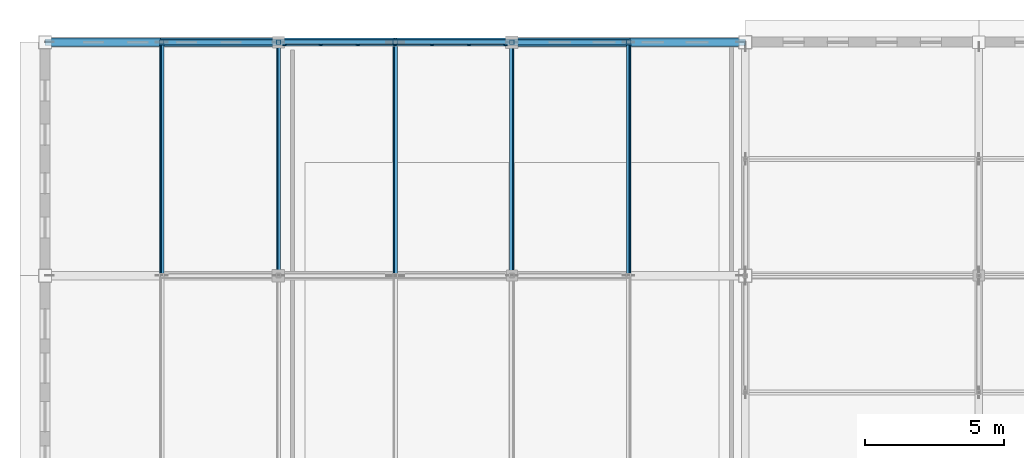
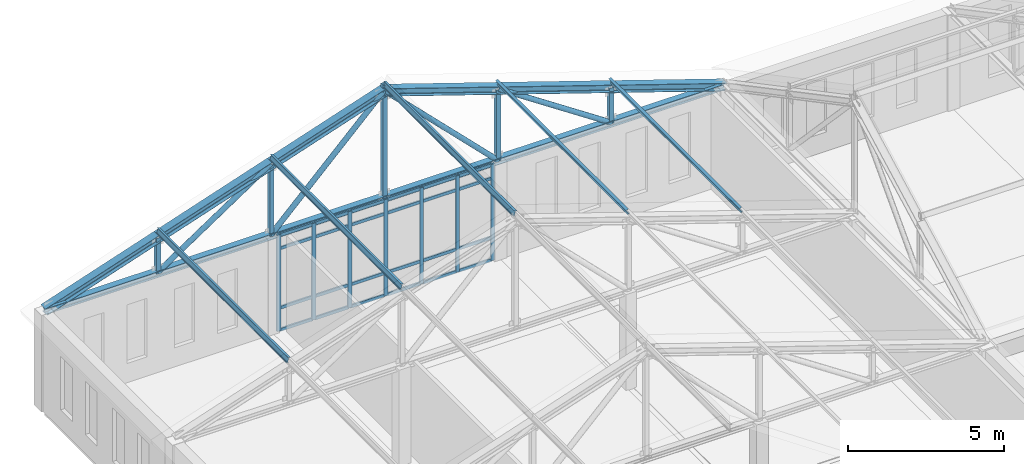
# One storey, part 24 of 56: 52 members, 1 element without a shape of its own.
"""IFC4 building model written with IfcOpenShell, lengths in metres."""

from ifc_helpers import new_model, si_unit, direction, frame, origin, origin_2d, place, context, subcontext, project, spatial, rectangle, hollow_rectangle, hollow_circle, i_section, extrude, material, layer, layer_set, material_profile, profile_set, type_object, element, aggregate, save


model = new_model("IFC4")

# Units and contexts
model_context = context("Model", 3, precision=1e-05, world=origin(), true_north=direction((0.0, 1.0)))
body_context = subcontext(model_context, "Body", "Model", "MODEL_VIEW")
ifc_project = project(units=[si_unit("LENGTHUNIT", "METRE"), si_unit("AREAUNIT", "SQUARE_METRE"), si_unit("VOLUMEUNIT", "CUBIC_METRE"), si_unit("PLANEANGLEUNIT", "RADIAN"), si_unit("MASSUNIT", "GRAM", prefix="KILO")], contexts=[model_context])

# Site, building, storey
site_placement = place(None, origin())
site = spatial("IfcSite", under=ifc_project, at=site_placement, CompositionType="ELEMENT")
building_placement = place(site_placement, origin())
building = spatial("IfcBuilding", under=site, at=building_placement, Name="Kveldsbrygga Polytechnic", CompositionType="ELEMENT")
storey_placement = place(building_placement, frame((0.0, 0.0, 18.02001953125)))
storey = spatial("IfcBuildingStorey", under=building, at=storey_placement, Name="L04", CompositionType="ELEMENT", Elevation=18.02001953125)

# Curtain wall, members
ifc_material_1 = material(Name="Anodised aluminium AW-6060", Category="aluminium")
ifc_layer = layer(ifc_material_1, 0.179931640625)
ifc_layer_set = layer_set([ifc_layer], Name="Anodised aluminium AW-6060")
curtain_wall_type = type_object("IfcCurtainWallType", Name="CW-CONC-A", PredefinedType="USERDEFINED", material=ifc_layer_set)
curtain_wall_placement = place(storey_placement, origin())
curtain_wall = element("IfcCurtainWall", 1, at=curtain_wall_placement, inside=storey, type_object=curtain_wall_type, Name="Curtain Wall CW-L04-X-13-14", ObjectType="UNITISED CURTAIN WALL", PredefinedType="USERDEFINED")
ifc_material_profile_1 = material_profile(ifc_material_1, rectangle(XDim=0.06005859375, YDim=0.139892578125, at=origin_2d()), Name="ALU 60x140")
ifc_profile_set_1 = profile_set([ifc_material_profile_1], Name="Anodised aluminium AW-6060")
member_type_1 = type_object("IfcMemberType", Name="CW-MUL-140", PredefinedType="MULLION", material=ifc_profile_set_1)
member_1_placement = place(storey_placement, frame((109.425048828125, 117.5, 0.0), z_axis=(0.0, 0.0, 1.0), x_axis=(0.0, 1.0, 0.0)))
member_1 = element("IfcMember", 2, at=member_1_placement, type_object=member_type_1, Name="CW-01 mullion 1", PredefinedType="MULLION", context=body_context, shape_type="SweptSolid", body=[
    extrude(rectangle(XDim=0.06005859375, YDim=0.139892578125, at=origin_2d()), origin(), (0.0, 0.0, 1.0), 3.780029296875),
])
member_2_placement = place(storey_placement, frame((110.7275390625, 117.5, 0.0), z_axis=(0.0, 0.0, 1.0), x_axis=(0.0, 1.0, 0.0)))
member_2 = element("IfcMember", 3, at=member_2_placement, type_object=member_type_1, Name="CW-01 mullion 2", PredefinedType="MULLION", context=body_context, shape_type="SweptSolid", body=[
    extrude(rectangle(XDim=0.06005859375, YDim=0.139892578125, at=origin_2d()), origin(), (0.0, 0.0, 1.0), 3.780029296875),
])
member_3_placement = place(storey_placement, frame((112.06005859375, 117.5, 0.0), z_axis=(0.0, 0.0, 1.0), x_axis=(0.0, 1.0, 0.0)))
member_3 = element("IfcMember", 4, at=member_3_placement, type_object=member_type_1, Name="CW-01 mullion 3", PredefinedType="MULLION", context=body_context, shape_type="SweptSolid", body=[
    extrude(rectangle(XDim=0.06005859375, YDim=0.139892578125, at=origin_2d()), origin(), (0.0, 0.0, 1.0), 3.780029296875),
])
member_4_placement = place(storey_placement, frame((113.392578125, 117.5, 0.0), z_axis=(0.0, 0.0, 1.0), x_axis=(0.0, 1.0, 0.0)))
member_4 = element("IfcMember", 5, at=member_4_placement, type_object=member_type_1, Name="CW-01 mullion 4", PredefinedType="MULLION", context=body_context, shape_type="SweptSolid", body=[
    extrude(rectangle(XDim=0.06005859375, YDim=0.139892578125, at=origin_2d()), origin(), (0.0, 0.0, 1.0), 3.780029296875),
])
member_5_placement = place(storey_placement, frame((114.72509765625, 117.5, 0.0), z_axis=(0.0, 0.0, 1.0), x_axis=(0.0, 1.0, 0.0)))
member_5 = element("IfcMember", 6, at=member_5_placement, type_object=member_type_1, Name="CW-01 mullion 5", PredefinedType="MULLION", context=body_context, shape_type="SweptSolid", body=[
    extrude(rectangle(XDim=0.06005859375, YDim=0.139892578125, at=origin_2d()), origin(), (0.0, 0.0, 1.0), 3.780029296875),
])
member_6_placement = place(storey_placement, frame((116.0576171875, 117.5, 0.0), z_axis=(0.0, 0.0, 1.0), x_axis=(0.0, 1.0, 0.0)))
member_6 = element("IfcMember", 7, at=member_6_placement, type_object=member_type_1, Name="CW-01 mullion 6", PredefinedType="MULLION", context=body_context, shape_type="SweptSolid", body=[
    extrude(rectangle(XDim=0.06005859375, YDim=0.139892578125, at=origin_2d()), origin(), (0.0, 0.0, 1.0), 3.780029296875),
])
member_7_placement = place(storey_placement, frame((117.360107421875, 117.5, 0.0), z_axis=(0.0, 0.0, 1.0), x_axis=(0.0, 1.0, 0.0)))
member_7 = element("IfcMember", 8, at=member_7_placement, type_object=member_type_1, Name="CW-01 mullion 7", PredefinedType="MULLION", context=body_context, shape_type="SweptSolid", body=[
    extrude(rectangle(XDim=0.06005859375, YDim=0.139892578125, at=origin_2d()), origin(), (0.0, 0.0, 1.0), 3.780029296875),
])
ifc_material_profile_2 = material_profile(ifc_material_1, rectangle(XDim=0.06005859375, YDim=0.1201171875, at=origin_2d()), Name="ALU 60x120")
ifc_profile_set_2 = profile_set([ifc_material_profile_2], Name="Anodised aluminium AW-6060")
member_type_2 = type_object("IfcMemberType", Name="CW-TRN-120", PredefinedType="USERDEFINED", material=ifc_profile_set_2)
member_8_placement = place(storey_placement, frame((109.455078125, 117.5, 0.030029296875), z_axis=(1.0, 0.0, 0.0), x_axis=(0.0, 1.0, 0.0)))
member_8 = element("IfcMember", 9, at=member_8_placement, type_object=member_type_2, Name="CW-01 transom 1.1", ObjectType="TRANSOM", PredefinedType="USERDEFINED", context=body_context, shape_type="SweptSolid", body=[
    extrude(rectangle(XDim=0.06005859375, YDim=0.1201171875, at=origin_2d()), origin(), (0.0, 0.0, 1.0), 1.242431640625),
])
member_9_placement = place(storey_placement, frame((109.455078125, 117.5, 0.89990234375), z_axis=(1.0, 0.0, 0.0), x_axis=(0.0, 1.0, 0.0)))
member_9 = element("IfcMember", 10, at=member_9_placement, type_object=member_type_2, Name="CW-01 transom 1.2", ObjectType="TRANSOM", PredefinedType="USERDEFINED", context=body_context, shape_type="SweptSolid", body=[
    extrude(rectangle(XDim=0.06005859375, YDim=0.1201171875, at=origin_2d()), origin(), (0.0, 0.0, 1.0), 1.242431640625),
])
member_10_placement = place(storey_placement, frame((109.455078125, 117.5, 3.22998046875), z_axis=(1.0, 0.0, 0.0), x_axis=(0.0, 1.0, 0.0)))
member_10 = element("IfcMember", 11, at=member_10_placement, type_object=member_type_2, Name="CW-01 transom 1.3", ObjectType="TRANSOM", PredefinedType="USERDEFINED", context=body_context, shape_type="SweptSolid", body=[
    extrude(rectangle(XDim=0.06005859375, YDim=0.1201171875, at=origin_2d()), origin(), (0.0, 0.0, 1.0), 1.242431640625),
])
member_11_placement = place(storey_placement, frame((109.455078125, 117.5, 3.75), z_axis=(1.0, 0.0, 0.0), x_axis=(0.0, 1.0, 0.0)))
member_11 = element("IfcMember", 12, at=member_11_placement, type_object=member_type_2, Name="CW-01 transom 1.4", ObjectType="TRANSOM", PredefinedType="USERDEFINED", context=body_context, shape_type="SweptSolid", body=[
    extrude(rectangle(XDim=0.06005859375, YDim=0.1201171875, at=origin_2d()), origin(), (0.0, 0.0, 1.0), 1.242431640625),
])
member_12_placement = place(storey_placement, frame((110.757568359375, 117.5, 0.030029296875), z_axis=(1.0, 0.0, 0.0), x_axis=(0.0, 1.0, 0.0)))
member_12 = element("IfcMember", 13, at=member_12_placement, type_object=member_type_2, Name="CW-01 transom 2.1", ObjectType="TRANSOM", PredefinedType="USERDEFINED", context=body_context, shape_type="SweptSolid", body=[
    extrude(rectangle(XDim=0.06005859375, YDim=0.1201171875, at=origin_2d()), origin(), (0.0, 0.0, 1.0), 1.2724609375),
])
member_13_placement = place(storey_placement, frame((110.757568359375, 117.5, 0.89990234375), z_axis=(1.0, 0.0, 0.0), x_axis=(0.0, 1.0, 0.0)))
member_13 = element("IfcMember", 14, at=member_13_placement, type_object=member_type_2, Name="CW-01 transom 2.2", ObjectType="TRANSOM", PredefinedType="USERDEFINED", context=body_context, shape_type="SweptSolid", body=[
    extrude(rectangle(XDim=0.06005859375, YDim=0.1201171875, at=origin_2d()), origin(), (0.0, 0.0, 1.0), 1.2724609375),
])
member_14_placement = place(storey_placement, frame((110.757568359375, 117.5, 3.22998046875), z_axis=(1.0, 0.0, 0.0), x_axis=(0.0, 1.0, 0.0)))
member_14 = element("IfcMember", 15, at=member_14_placement, type_object=member_type_2, Name="CW-01 transom 2.3", ObjectType="TRANSOM", PredefinedType="USERDEFINED", context=body_context, shape_type="SweptSolid", body=[
    extrude(rectangle(XDim=0.06005859375, YDim=0.1201171875, at=origin_2d()), origin(), (0.0, 0.0, 1.0), 1.2724609375),
])
member_15_placement = place(storey_placement, frame((110.757568359375, 117.5, 3.75), z_axis=(1.0, 0.0, 0.0), x_axis=(0.0, 1.0, 0.0)))
member_15 = element("IfcMember", 16, at=member_15_placement, type_object=member_type_2, Name="CW-01 transom 2.4", ObjectType="TRANSOM", PredefinedType="USERDEFINED", context=body_context, shape_type="SweptSolid", body=[
    extrude(rectangle(XDim=0.06005859375, YDim=0.1201171875, at=origin_2d()), origin(), (0.0, 0.0, 1.0), 1.2724609375),
])
member_16_placement = place(storey_placement, frame((112.090087890625, 117.5, 0.030029296875), z_axis=(1.0, 0.0, 0.0), x_axis=(0.0, 1.0, 0.0)))
member_16 = element("IfcMember", 17, at=member_16_placement, type_object=member_type_2, Name="CW-01 transom 3.1", ObjectType="TRANSOM", PredefinedType="USERDEFINED", context=body_context, shape_type="SweptSolid", body=[
    extrude(rectangle(XDim=0.06005859375, YDim=0.1201171875, at=origin_2d()), origin(), (0.0, 0.0, 1.0), 1.2724609375),
])
member_17_placement = place(storey_placement, frame((112.090087890625, 117.5, 0.89990234375), z_axis=(1.0, 0.0, 0.0), x_axis=(0.0, 1.0, 0.0)))
member_17 = element("IfcMember", 18, at=member_17_placement, type_object=member_type_2, Name="CW-01 transom 3.2", ObjectType="TRANSOM", PredefinedType="USERDEFINED", context=body_context, shape_type="SweptSolid", body=[
    extrude(rectangle(XDim=0.06005859375, YDim=0.1201171875, at=origin_2d()), origin(), (0.0, 0.0, 1.0), 1.2724609375),
])
member_18_placement = place(storey_placement, frame((112.090087890625, 117.5, 3.22998046875), z_axis=(1.0, 0.0, 0.0), x_axis=(0.0, 1.0, 0.0)))
member_18 = element("IfcMember", 19, at=member_18_placement, type_object=member_type_2, Name="CW-01 transom 3.3", ObjectType="TRANSOM", PredefinedType="USERDEFINED", context=body_context, shape_type="SweptSolid", body=[
    extrude(rectangle(XDim=0.06005859375, YDim=0.1201171875, at=origin_2d()), origin(), (0.0, 0.0, 1.0), 1.2724609375),
])
member_19_placement = place(storey_placement, frame((112.090087890625, 117.5, 3.75), z_axis=(1.0, 0.0, 0.0), x_axis=(0.0, 1.0, 0.0)))
member_19 = element("IfcMember", 20, at=member_19_placement, type_object=member_type_2, Name="CW-01 transom 3.4", ObjectType="TRANSOM", PredefinedType="USERDEFINED", context=body_context, shape_type="SweptSolid", body=[
    extrude(rectangle(XDim=0.06005859375, YDim=0.1201171875, at=origin_2d()), origin(), (0.0, 0.0, 1.0), 1.2724609375),
])
member_20_placement = place(storey_placement, frame((113.422607421875, 117.5, 0.030029296875), z_axis=(1.0, 0.0, 0.0), x_axis=(0.0, 1.0, 0.0)))
member_20 = element("IfcMember", 21, at=member_20_placement, type_object=member_type_2, Name="CW-01 transom 4.1", ObjectType="TRANSOM", PredefinedType="USERDEFINED", context=body_context, shape_type="SweptSolid", body=[
    extrude(rectangle(XDim=0.06005859375, YDim=0.1201171875, at=origin_2d()), origin(), (0.0, 0.0, 1.0), 1.2724609375),
])
member_21_placement = place(storey_placement, frame((113.422607421875, 117.5, 0.89990234375), z_axis=(1.0, 0.0, 0.0), x_axis=(0.0, 1.0, 0.0)))
member_21 = element("IfcMember", 22, at=member_21_placement, type_object=member_type_2, Name="CW-01 transom 4.2", ObjectType="TRANSOM", PredefinedType="USERDEFINED", context=body_context, shape_type="SweptSolid", body=[
    extrude(rectangle(XDim=0.06005859375, YDim=0.1201171875, at=origin_2d()), origin(), (0.0, 0.0, 1.0), 1.2724609375),
])
member_22_placement = place(storey_placement, frame((113.422607421875, 117.5, 3.22998046875), z_axis=(1.0, 0.0, 0.0), x_axis=(0.0, 1.0, 0.0)))
member_22 = element("IfcMember", 23, at=member_22_placement, type_object=member_type_2, Name="CW-01 transom 4.3", ObjectType="TRANSOM", PredefinedType="USERDEFINED", context=body_context, shape_type="SweptSolid", body=[
    extrude(rectangle(XDim=0.06005859375, YDim=0.1201171875, at=origin_2d()), origin(), (0.0, 0.0, 1.0), 1.2724609375),
])
member_23_placement = place(storey_placement, frame((113.422607421875, 117.5, 3.75), z_axis=(1.0, 0.0, 0.0), x_axis=(0.0, 1.0, 0.0)))
member_23 = element("IfcMember", 24, at=member_23_placement, type_object=member_type_2, Name="CW-01 transom 4.4", ObjectType="TRANSOM", PredefinedType="USERDEFINED", context=body_context, shape_type="SweptSolid", body=[
    extrude(rectangle(XDim=0.06005859375, YDim=0.1201171875, at=origin_2d()), origin(), (0.0, 0.0, 1.0), 1.2724609375),
])
member_24_placement = place(storey_placement, frame((114.7548828125, 117.5, 0.030029296875), z_axis=(1.0, 0.0, 0.0), x_axis=(0.0, 1.0, 0.0)))
member_24 = element("IfcMember", 25, at=member_24_placement, type_object=member_type_2, Name="CW-01 transom 5.1", ObjectType="TRANSOM", PredefinedType="USERDEFINED", context=body_context, shape_type="SweptSolid", body=[
    extrude(rectangle(XDim=0.06005859375, YDim=0.1201171875, at=origin_2d()), origin(), (0.0, 0.0, 1.0), 1.272705078125),
])
member_25_placement = place(storey_placement, frame((114.7548828125, 117.5, 0.89990234375), z_axis=(1.0, 0.0, 0.0), x_axis=(0.0, 1.0, 0.0)))
member_25 = element("IfcMember", 26, at=member_25_placement, type_object=member_type_2, Name="CW-01 transom 5.2", ObjectType="TRANSOM", PredefinedType="USERDEFINED", context=body_context, shape_type="SweptSolid", body=[
    extrude(rectangle(XDim=0.06005859375, YDim=0.1201171875, at=origin_2d()), origin(), (0.0, 0.0, 1.0), 1.272705078125),
])
member_26_placement = place(storey_placement, frame((114.7548828125, 117.5, 3.22998046875), z_axis=(1.0, 0.0, 0.0), x_axis=(0.0, 1.0, 0.0)))
member_26 = element("IfcMember", 27, at=member_26_placement, type_object=member_type_2, Name="CW-01 transom 5.3", ObjectType="TRANSOM", PredefinedType="USERDEFINED", context=body_context, shape_type="SweptSolid", body=[
    extrude(rectangle(XDim=0.06005859375, YDim=0.1201171875, at=origin_2d()), origin(), (0.0, 0.0, 1.0), 1.272705078125),
])
member_27_placement = place(storey_placement, frame((114.7548828125, 117.5, 3.75), z_axis=(1.0, 0.0, 0.0), x_axis=(0.0, 1.0, 0.0)))
member_27 = element("IfcMember", 28, at=member_27_placement, type_object=member_type_2, Name="CW-01 transom 5.4", ObjectType="TRANSOM", PredefinedType="USERDEFINED", context=body_context, shape_type="SweptSolid", body=[
    extrude(rectangle(XDim=0.06005859375, YDim=0.1201171875, at=origin_2d()), origin(), (0.0, 0.0, 1.0), 1.272705078125),
])
member_28_placement = place(storey_placement, frame((116.08740234375, 117.5, 0.030029296875), z_axis=(1.0, 0.0, 0.0), x_axis=(0.0, 1.0, 0.0)))
member_28 = element("IfcMember", 29, at=member_28_placement, type_object=member_type_2, Name="CW-01 transom 6.1", ObjectType="TRANSOM", PredefinedType="USERDEFINED", context=body_context, shape_type="SweptSolid", body=[
    extrude(rectangle(XDim=0.06005859375, YDim=0.1201171875, at=origin_2d()), origin(), (0.0, 0.0, 1.0), 1.24267578125),
])
member_29_placement = place(storey_placement, frame((116.08740234375, 117.5, 0.89990234375), z_axis=(1.0, 0.0, 0.0), x_axis=(0.0, 1.0, 0.0)))
member_29 = element("IfcMember", 30, at=member_29_placement, type_object=member_type_2, Name="CW-01 transom 6.2", ObjectType="TRANSOM", PredefinedType="USERDEFINED", context=body_context, shape_type="SweptSolid", body=[
    extrude(rectangle(XDim=0.06005859375, YDim=0.1201171875, at=origin_2d()), origin(), (0.0, 0.0, 1.0), 1.24267578125),
])
member_30_placement = place(storey_placement, frame((116.08740234375, 117.5, 3.22998046875), z_axis=(1.0, 0.0, 0.0), x_axis=(0.0, 1.0, 0.0)))
member_30 = element("IfcMember", 31, at=member_30_placement, type_object=member_type_2, Name="CW-01 transom 6.3", ObjectType="TRANSOM", PredefinedType="USERDEFINED", context=body_context, shape_type="SweptSolid", body=[
    extrude(rectangle(XDim=0.06005859375, YDim=0.1201171875, at=origin_2d()), origin(), (0.0, 0.0, 1.0), 1.24267578125),
])
member_31_placement = place(storey_placement, frame((116.08740234375, 117.5, 3.75), z_axis=(1.0, 0.0, 0.0), x_axis=(0.0, 1.0, 0.0)))
member_31 = element("IfcMember", 32, at=member_31_placement, type_object=member_type_2, Name="CW-01 transom 6.4", ObjectType="TRANSOM", PredefinedType="USERDEFINED", context=body_context, shape_type="SweptSolid", body=[
    extrude(rectangle(XDim=0.06005859375, YDim=0.1201171875, at=origin_2d()), origin(), (0.0, 0.0, 1.0), 1.24267578125),
])
aggregate(curtain_wall, [member_1, member_2, member_3, member_4, member_5, member_6, member_7, member_8, member_9, member_10, member_11, member_12, member_13, member_14, member_15, member_16, member_17, member_18, member_19, member_20, member_21, member_22, member_23, member_24, member_25, member_26, member_27, member_28, member_29, member_30, member_31])

# Members
ifc_material_2 = material(Name="Steel S355", Category="steel")
ifc_material_profile_3 = material_profile(ifc_material_2, i_section(OverallWidth=0.10009765625, OverallDepth=0.199951171875, WebThickness=0.005615234375, FlangeThickness=0.008544921875, FilletRadius=0.011962890625, at=origin_2d()), Name="IPE 200")
ifc_profile_set_3 = profile_set([ifc_material_profile_3], Name="Steel S355")
member_type_3 = type_object("IfcMemberType", Name="PRL-IPE200", PredefinedType="PURLIN", material=ifc_profile_set_3)
for number, where, z_axis, x_axis, name in (
    (33, (105.0, 109.199951171875, 5.438232421875), (0.0, 1.0, 0.0), (-0.948683567514, 0.0, 0.316226957624), "Roof Purlin V4NE5-PRL-4-1"),
    (34, (109.199951171875, 109.199951171875, 6.838134765625), (0.0, 1.0, 0.0), (-0.948683567514, 0.0, 0.316226957624), "Roof Purlin V4NE5-PRL-4-2"),
    (35, (113.39990234375, 109.199951171875, 8.23828125), (0.0, 1.0, 0.0), (-0.948683567514, 0.0, 0.316226957624), "Roof Purlin V4NE5-PRL-4-3"),
    (36, (117.60009765625, 109.199951171875, 6.838134765625), (0.0, 1.0, 0.0), (-0.948683567514, 0.0, -0.316226957624), "Roof Purlin V4NE5-PRL-4-4"),
    (37, (121.800048828125, 109.199951171875, 5.438232421875), (0.0, 1.0, 0.0), (-0.948683567514, 0.0, -0.316226957624), "Roof Purlin V4NE5-PRL-4-5"),
):
    element("IfcMember", number, at=place(storey_placement, frame(where, z_axis=z_axis, x_axis=x_axis)), inside=storey, type_object=member_type_3, Name=name, PredefinedType="PURLIN", context=body_context, shape_type="SweptSolid", body=[
        extrude(i_section(OverallWidth=0.10009765625, OverallDepth=0.199951171875, WebThickness=0.005615234375, FlangeThickness=0.008544921875, FilletRadius=0.011962890625, at=origin_2d()), origin(), (0.0, 0.0, 1.0), 8.400146484375),
    ])
ifc_material_profile_4 = material_profile(ifc_material_2, i_section(OverallWidth=0.239990234375, OverallDepth=0.22998046875, WebThickness=0.007568359375, FlangeThickness=0.011962890625, FilletRadius=0.02099609375, at=origin_2d()), Name="HEA 240")
ifc_profile_set_4 = profile_set([ifc_material_profile_4], Name="Steel S355")
member_type_4 = type_object("IfcMemberType", Name="TR-BOT-HEA240", PredefinedType="CHORD", material=ifc_profile_set_4)
member_32_placement = place(storey_placement, frame((100.800048828125, 117.60009765625, 3.780029296875), z_axis=(1.0, 0.0, 0.0), x_axis=(0.0, 1.0, 0.0)))
element("IfcMember", 38, at=member_32_placement, inside=storey, type_object=member_type_4, Name="Truss Bottom Chord V4NE5-T05-BC-1", PredefinedType="CHORD", context=body_context, shape_type="SweptSolid", body=[
    extrude(i_section(OverallWidth=0.239990234375, OverallDepth=0.22998046875, WebThickness=0.007568359375, FlangeThickness=0.011962890625, FilletRadius=0.02099609375, at=origin_2d()), origin(), (0.0, 0.0, 1.0), 25.199951171875),
])
ifc_material_profile_5 = material_profile(ifc_material_2, hollow_circle(Radius=0.096923828125, WallThickness=0.010009765625, at=origin_2d()), Name="CHS 193.7x10.0")
ifc_profile_set_5 = profile_set([ifc_material_profile_5], Name="Steel S355")
member_type_5 = type_object("IfcMemberType", Name="TR-DIAG-CHS194", PredefinedType="BRACE", material=ifc_profile_set_5)
member_33_placement = place(storey_placement, frame((105.0, 117.60009765625, 3.780029296875), z_axis=(0.832042853317, 0.0, 0.554711357594), x_axis=(0.0, 1.0, 0.0)))
element("IfcMember", 39, at=member_33_placement, inside=storey, type_object=member_type_5, Name="Truss Diagonal V4NE5-T05-DG-2", PredefinedType="BRACE", context=body_context, shape_type="SweptSolid", body=[
    extrude(hollow_circle(Radius=0.096923828125, WallThickness=0.010009765625, at=origin_2d()), origin(), (0.0, 0.0, 1.0), 5.0478515625),
])
for number, where, z_axis, x_axis, name in (
    (40, (109.199951171875, 117.60009765625, 3.780029296875), (0.707106781187, 0.0, 0.707106781187), (0.0, 1.0, 0.0), "Truss Diagonal V4NE5-T05-DG-3"),
    (41, (113.39990234375, 117.60009765625, 7.97998046875), (0.707127332136, 0.0, -0.70708622964), (0.0, 1.0, 0.0), "Truss Diagonal V4NE5-T05-DG-4"),
):
    element("IfcMember", number, at=place(storey_placement, frame(where, z_axis=z_axis, x_axis=x_axis)), inside=storey, type_object=member_type_5, Name=name, PredefinedType="BRACE", context=body_context, shape_type="SweptSolid", body=[
        extrude(hollow_circle(Radius=0.096923828125, WallThickness=0.010009765625, at=origin_2d()), origin(), (0.0, 0.0, 1.0), 5.939697265625),
    ])
member_34_placement = place(storey_placement, frame((117.60009765625, 117.60009765625, 6.580078125), z_axis=(0.832042853317, 0.0, -0.554711357594), x_axis=(0.0, 1.0, 0.0)))
element("IfcMember", 42, at=member_34_placement, inside=storey, type_object=member_type_5, Name="Truss Diagonal V4NE5-T05-DG-5", PredefinedType="BRACE", context=body_context, shape_type="SweptSolid", body=[
    extrude(hollow_circle(Radius=0.096923828125, WallThickness=0.010009765625, at=origin_2d()), origin(), (0.0, 0.0, 1.0), 5.0478515625),
])
ifc_material_profile_6 = material_profile(ifc_material_2, hollow_rectangle(XDim=0.159912109375, YDim=0.159912109375, WallThickness=0.010009765625, at=origin_2d()), Name="SHS 160x160x10.0")
ifc_profile_set_6 = profile_set([ifc_material_profile_6], Name="Steel S355")
member_type_6 = type_object("IfcMemberType", Name="TR-POST-SHS160", PredefinedType="STRUT", material=ifc_profile_set_6)
member_35_placement = place(storey_placement, frame((105.0, 117.60009765625, 3.780029296875), z_axis=(0.0, 0.0, 1.0), x_axis=(1.0, 0.0, 0.0)))
element("IfcMember", 43, at=member_35_placement, inside=storey, type_object=member_type_6, Name="Truss Vertical V4NE5-T05-VT-1", PredefinedType="STRUT", context=body_context, shape_type="SweptSolid", body=[
    extrude(hollow_rectangle(XDim=0.159912109375, YDim=0.159912109375, WallThickness=0.010009765625, at=origin_2d()), origin(), (0.0, 0.0, 1.0), 1.39990234375),
])
member_36_placement = place(storey_placement, frame((109.199951171875, 117.60009765625, 3.780029296875), z_axis=(0.0, 0.0, 1.0), x_axis=(1.0, 0.0, 0.0)))
element("IfcMember", 44, at=member_36_placement, inside=storey, type_object=member_type_6, Name="Truss Vertical V4NE5-T05-VT-2", PredefinedType="STRUT", context=body_context, shape_type="SweptSolid", body=[
    extrude(hollow_rectangle(XDim=0.159912109375, YDim=0.159912109375, WallThickness=0.010009765625, at=origin_2d()), origin(), (0.0, 0.0, 1.0), 2.800048828125),
])
member_37_placement = place(storey_placement, frame((113.39990234375, 117.60009765625, 3.780029296875), z_axis=(0.0, 0.0, 1.0), x_axis=(1.0, 0.0, 0.0)))
element("IfcMember", 45, at=member_37_placement, inside=storey, type_object=member_type_6, Name="Truss Vertical V4NE5-T05-VT-3", PredefinedType="STRUT", context=body_context, shape_type="SweptSolid", body=[
    extrude(hollow_rectangle(XDim=0.159912109375, YDim=0.159912109375, WallThickness=0.010009765625, at=origin_2d()), origin(), (0.0, 0.0, 1.0), 4.458251953125),
])
member_38_placement = place(storey_placement, frame((117.60009765625, 117.60009765625, 3.780029296875), z_axis=(0.0, 0.0, 1.0), x_axis=(1.0, 0.0, 0.0)))
element("IfcMember", 46, at=member_38_placement, inside=storey, type_object=member_type_6, Name="Truss Vertical V4NE5-T05-VT-4", PredefinedType="STRUT", context=body_context, shape_type="SweptSolid", body=[
    extrude(hollow_rectangle(XDim=0.159912109375, YDim=0.159912109375, WallThickness=0.010009765625, at=origin_2d()), origin(), (0.0, 0.0, 1.0), 2.800048828125),
])
member_39_placement = place(storey_placement, frame((121.800048828125, 117.60009765625, 3.780029296875), z_axis=(0.0, 0.0, 1.0), x_axis=(1.0, 0.0, 0.0)))
element("IfcMember", 47, at=member_39_placement, inside=storey, type_object=member_type_6, Name="Truss Vertical V4NE5-T05-VT-5", PredefinedType="STRUT", context=body_context, shape_type="SweptSolid", body=[
    extrude(hollow_rectangle(XDim=0.159912109375, YDim=0.159912109375, WallThickness=0.010009765625, at=origin_2d()), origin(), (0.0, 0.0, 1.0), 1.39990234375),
])
ifc_material_profile_7 = material_profile(ifc_material_2, i_section(OverallWidth=0.300048828125, OverallDepth=0.2900390625, WebThickness=0.008544921875, FlangeThickness=0.013916015625, FilletRadius=0.027099609375, at=origin_2d()), Name="HEA 300")
ifc_profile_set_7 = profile_set([ifc_material_profile_7], Name="Steel S355")
member_type_7 = type_object("IfcMemberType", Name="TR-TOP-HEA300", PredefinedType="CHORD", material=ifc_profile_set_7)
member_40_placement = place(storey_placement, frame((100.800048828125, 117.60009765625, 3.780029296875), z_axis=(0.948688812577, 0.0, 0.316211221956), x_axis=(0.0, 1.0, 0.0)))
element("IfcMember", 48, at=member_40_placement, inside=storey, type_object=member_type_7, Name="Truss Top Chord V4NE5-T05-TC-1", PredefinedType="CHORD", context=body_context, shape_type="SweptSolid", body=[
    extrude(i_section(OverallWidth=0.300048828125, OverallDepth=0.2900390625, WebThickness=0.008544921875, FlangeThickness=0.013916015625, FilletRadius=0.027099609375, at=origin_2d()), origin(), (0.0, 0.0, 1.0), 4.427001953125),
])
member_41_placement = place(storey_placement, frame((105.0, 117.60009765625, 5.179931640625), z_axis=(0.948672268324, 0.0, 0.316260853272), x_axis=(0.0, 1.0, 0.0)))
element("IfcMember", 49, at=member_41_placement, inside=storey, type_object=member_type_7, Name="Truss Top Chord V4NE5-T05-TC-2", PredefinedType="CHORD", context=body_context, shape_type="SweptSolid", body=[
    extrude(i_section(OverallWidth=0.300048828125, OverallDepth=0.2900390625, WebThickness=0.008544921875, FlangeThickness=0.013916015625, FilletRadius=0.027099609375, at=origin_2d()), origin(), (0.0, 0.0, 1.0), 4.42724609375),
])
member_42_placement = place(storey_placement, frame((109.199951171875, 117.60009765625, 6.580078125), z_axis=(0.948688812577, 0.0, 0.316211221956), x_axis=(0.0, 1.0, 0.0)))
element("IfcMember", 50, at=member_42_placement, inside=storey, type_object=member_type_7, Name="Truss Top Chord V4NE5-T05-TC-3", PredefinedType="CHORD", context=body_context, shape_type="SweptSolid", body=[
    extrude(i_section(OverallWidth=0.300048828125, OverallDepth=0.2900390625, WebThickness=0.008544921875, FlangeThickness=0.013916015625, FilletRadius=0.027099609375, at=origin_2d()), origin(), (0.0, 0.0, 1.0), 4.427001953125),
])
for number, where, z_axis, x_axis, name in (
    (51, (113.39990234375, 117.60009765625, 7.97998046875), (0.948694326238, 0.0, -0.316194679531), (0.0, 1.0, 0.0), "Truss Top Chord V4NE5-T05-TC-4"),
    (52, (117.60009765625, 117.60009765625, 6.580078125), (0.948672268324, 0.0, -0.316260853272), (0.0, 1.0, 0.0), "Truss Top Chord V4NE5-T05-TC-5"),
):
    element("IfcMember", number, at=place(storey_placement, frame(where, z_axis=z_axis, x_axis=x_axis)), inside=storey, type_object=member_type_7, Name=name, PredefinedType="CHORD", context=body_context, shape_type="SweptSolid", body=[
        extrude(i_section(OverallWidth=0.300048828125, OverallDepth=0.2900390625, WebThickness=0.008544921875, FlangeThickness=0.013916015625, FilletRadius=0.027099609375, at=origin_2d()), origin(), (0.0, 0.0, 1.0), 4.42724609375),
    ])
member_43_placement = place(storey_placement, frame((121.800048828125, 117.60009765625, 5.179931640625), z_axis=(0.948688812577, 0.0, -0.316211221956), x_axis=(0.0, 1.0, 0.0)))
element("IfcMember", 53, at=member_43_placement, inside=storey, type_object=member_type_7, Name="Truss Top Chord V4NE5-T05-TC-6", PredefinedType="CHORD", context=body_context, shape_type="SweptSolid", body=[
    extrude(i_section(OverallWidth=0.300048828125, OverallDepth=0.2900390625, WebThickness=0.008544921875, FlangeThickness=0.013916015625, FilletRadius=0.027099609375, at=origin_2d()), origin(), (0.0, 0.0, 1.0), 4.427001953125),
])

save(model, "model.ifc")
